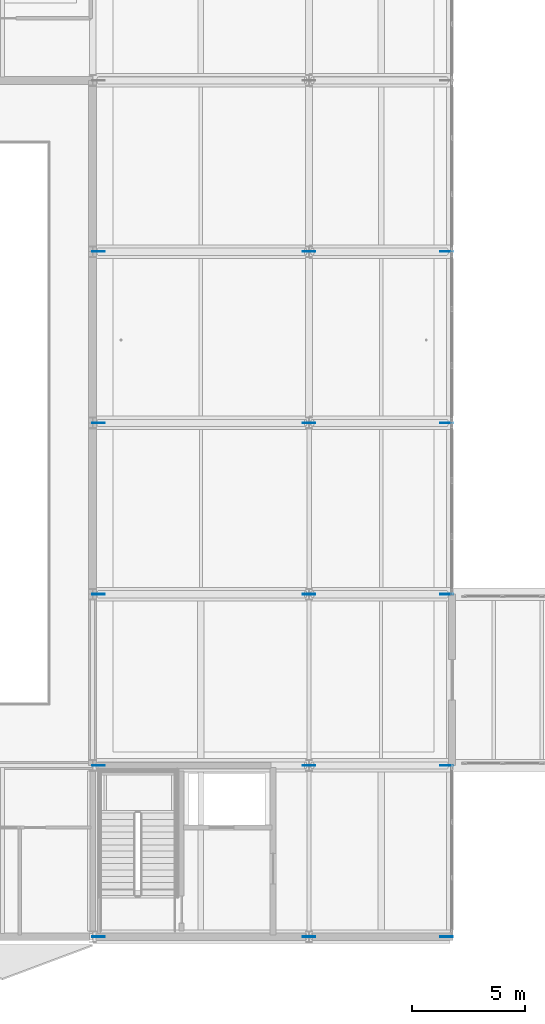
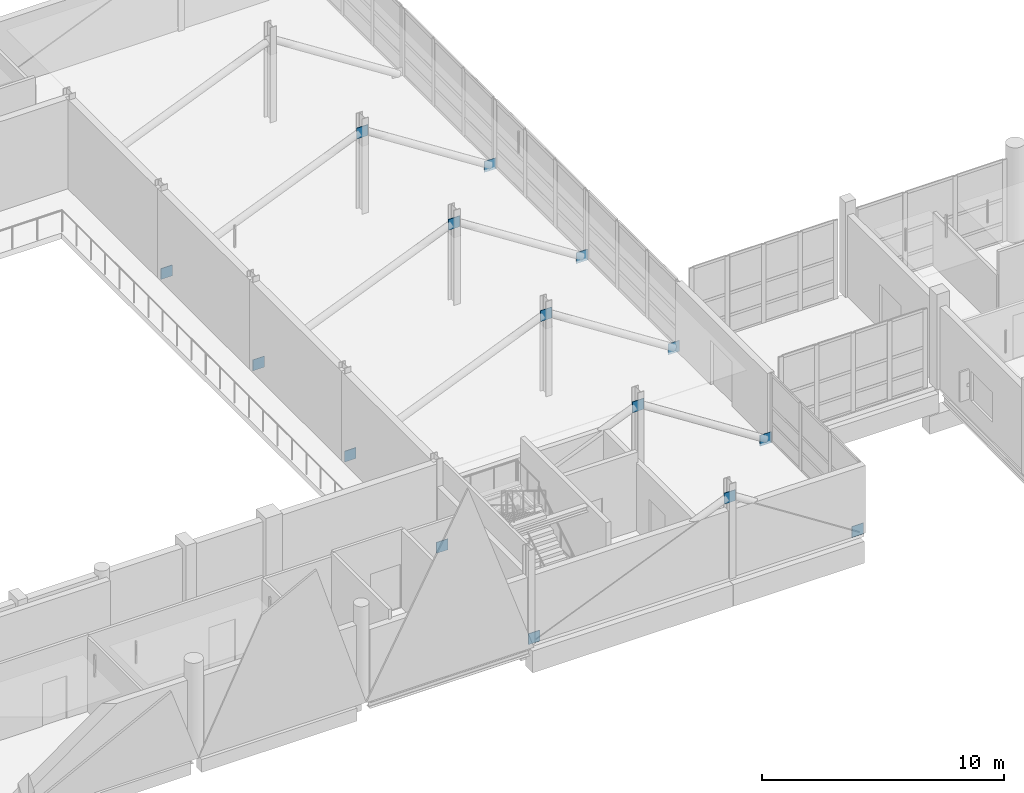
# One storey, part 84 of 141: 15 plates.
"""IFC4 building model written with IfcOpenShell, lengths in metres."""

from ifc_helpers import new_model, si_unit, direction, frame, origin, origin_2d, place, context, subcontext, project, spatial, rectangle, extrude, material, layer, layer_set, type_object, element, save


model = new_model("IFC4")

# Units and contexts
model_context = context("Model", 3, precision=1e-05, world=origin(), true_north=direction((0.0, 1.0)))
body_context = subcontext(model_context, "Body", "Model", "MODEL_VIEW")
ifc_project = project(units=[si_unit("LENGTHUNIT", "METRE"), si_unit("AREAUNIT", "SQUARE_METRE"), si_unit("VOLUMEUNIT", "CUBIC_METRE"), si_unit("PLANEANGLEUNIT", "RADIAN"), si_unit("MASSUNIT", "GRAM", prefix="KILO")], contexts=[model_context])

# Site, building, storey
site_placement = place(None, origin())
site = spatial("IfcSite", under=ifc_project, at=site_placement, CompositionType="ELEMENT")
building_placement = place(site_placement, origin())
building = spatial("IfcBuilding", under=site, at=building_placement, Name="Khelvaren Railside Concert Hall", CompositionType="ELEMENT")
storey_placement = place(building_placement, frame((0.0, 0.0, 10.199951171875)))
storey = spatial("IfcBuildingStorey", under=building, at=storey_placement, Name="L02", CompositionType="ELEMENT", Elevation=10.199951171875)

# Plates
ifc_material = material(Name="Steel S355", Category="steel")
ifc_layer = layer(ifc_material, 0.028076171875)
ifc_layer_set = layer_set([ifc_layer], Name="Steel S355")
plate_type = type_object("IfcPlateType", Name="GP71", PredefinedType="USERDEFINED", material=ifc_layer_set)
for number, where, z_axis, x_axis, name in (
    (1, (55.699951171875, 0.0, -0.125), (0.0, 0.0, 1.0), (1.0, 0.0, 0.0), "Cantilever Truss End Node Assembly L02-1-TIP"),
    (2, (49.60009765625, 0.0, 3.69482421875), (0.0, 0.0, 1.0), (1.0, 0.0, 0.0), "Cantilever Truss End Node Assembly L02-1-TOP"),
    (3, (40.25, 0.0, -0.125), (0.0, 0.0, 1.0), (1.0, 0.0, 0.0), "Cantilever Truss End Node Assembly L02-1-BS"),
    (4, (55.699951171875, 7.60009765625, -0.125), (0.0, 0.0, 1.0), (1.0, 0.0, 0.0), "Cantilever Truss End Node Assembly L02-2-TIP"),
    (5, (49.60009765625, 7.60009765625, 3.69482421875), (0.0, 0.0, 1.0), (1.0, 0.0, 0.0), "Cantilever Truss End Node Assembly L02-2-TOP"),
    (6, (40.25, 7.60009765625, -0.125), (0.0, 0.0, 1.0), (1.0, 0.0, 0.0), "Cantilever Truss End Node Assembly L02-2-BS"),
    (7, (55.699951171875, 15.199951171875, -0.125), (0.0, 0.0, 1.0), (1.0, 0.0, 0.0), "Cantilever Truss End Node Assembly L02-3-TIP"),
    (8, (49.60009765625, 15.199951171875, 3.69482421875), (0.0, 0.0, 1.0), (1.0, 0.0, 0.0), "Cantilever Truss End Node Assembly L02-3-TOP"),
    (9, (40.25, 15.199951171875, -0.125), (0.0, 0.0, 1.0), (1.0, 0.0, 0.0), "Cantilever Truss End Node Assembly L02-3-BS"),
    (10, (55.699951171875, 22.800048828125, -0.125), (0.0, 0.0, 1.0), (1.0, 0.0, 0.0), "Cantilever Truss End Node Assembly L02-4-TIP"),
    (11, (49.60009765625, 22.800048828125, 3.69482421875), (0.0, 0.0, 1.0), (1.0, 0.0, 0.0), "Cantilever Truss End Node Assembly L02-4-TOP"),
    (12, (40.25, 22.800048828125, -0.125), (0.0, 0.0, 1.0), (1.0, 0.0, 0.0), "Cantilever Truss End Node Assembly L02-4-BS"),
    (13, (55.699951171875, 30.39990234375, -0.125), (0.0, 0.0, 1.0), (1.0, 0.0, 0.0), "Cantilever Truss End Node Assembly L02-5-TIP"),
    (14, (49.60009765625, 30.39990234375, 3.69482421875), (0.0, 0.0, 1.0), (1.0, 0.0, 0.0), "Cantilever Truss End Node Assembly L02-5-TOP"),
    (15, (40.25, 30.39990234375, -0.125), (0.0, 0.0, 1.0), (1.0, 0.0, 0.0), "Cantilever Truss End Node Assembly L02-5-BS"),
):
    element("IfcPlate", number, at=place(storey_placement, frame(where, z_axis=z_axis, x_axis=x_axis)), inside=storey, type_object=plate_type, Name=name, ObjectType="GUSSET PLATE", PredefinedType="USERDEFINED", context=body_context, shape_type="SweptSolid", body=[
        extrude(rectangle(XDim=0.550048828125, YDim=0.028076171875, at=origin_2d()), origin(), (0.0, 0.0, 1.0), 0.550048828125),
    ])

save(model, "model.ifc")
